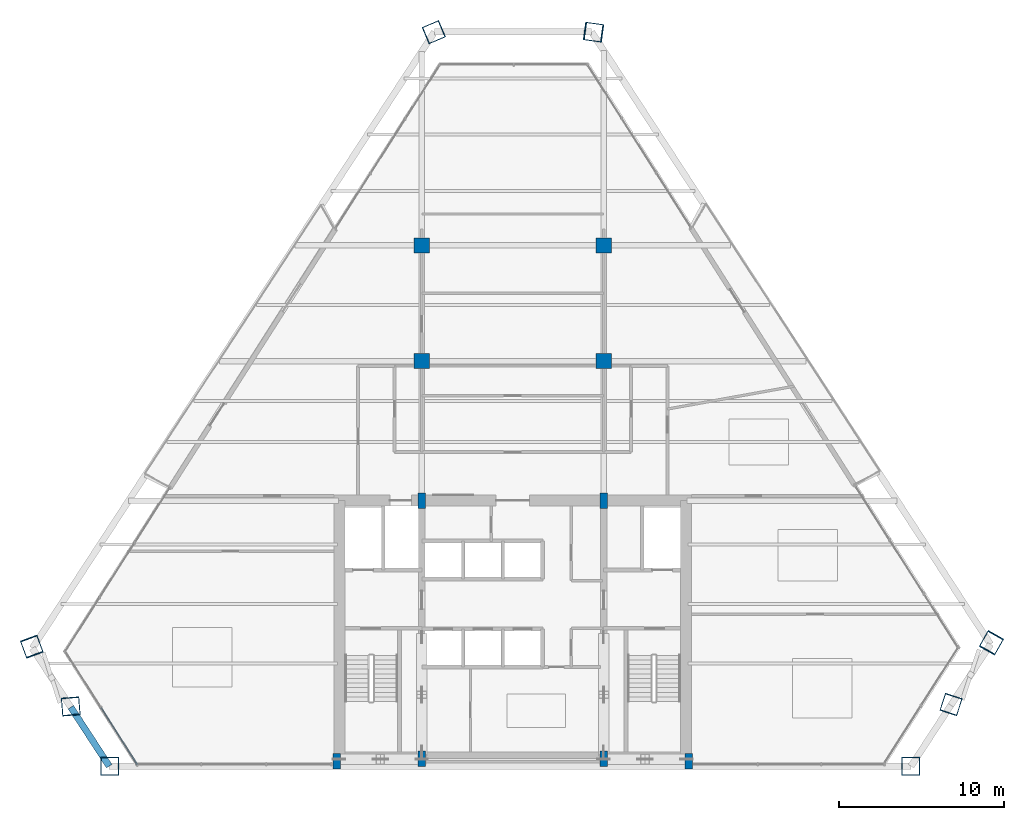
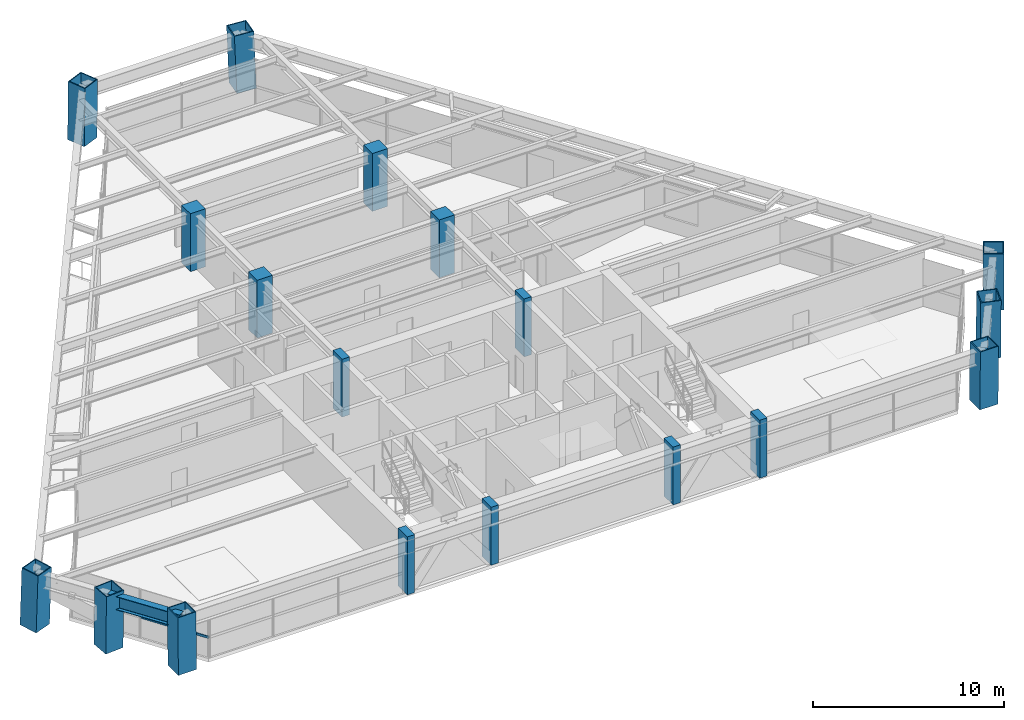
# One storey, part 1 of 15: 18 columns, 1 beam, 1 member, 1 element without a shape of its own.
"""IFC4 building model written with IfcOpenShell, lengths in metres."""

from ifc_helpers import new_model, si_unit, direction, frame, origin, origin_2d, place, context, subcontext, project, spatial, rectangle, hollow_rectangle, i_section, extrude, source, transform, mapped, material, material_profile, profile_set, type_object, element, aggregate, save


model = new_model("IFC4")

# Units and contexts
model_context = context("Model", 3, precision=1e-05, world=origin(), true_north=direction((0.0, 1.0)))
body_context = subcontext(model_context, "Body", "Model", "MODEL_VIEW")
ifc_project = project(units=[si_unit("LENGTHUNIT", "METRE"), si_unit("AREAUNIT", "SQUARE_METRE"), si_unit("VOLUMEUNIT", "CUBIC_METRE"), si_unit("PLANEANGLEUNIT", "RADIAN"), si_unit("MASSUNIT", "GRAM", prefix="KILO")], contexts=[model_context])

# Site, building, storey
site_placement = place(None, origin())
site = spatial("IfcSite", under=ifc_project, at=site_placement, CompositionType="ELEMENT")
building_placement = place(site_placement, origin())
building = spatial("IfcBuilding", under=site, at=building_placement, Name="Varnakhor Terracotta Tower", CompositionType="ELEMENT")
storey_placement = place(building_placement, frame((0.0, 0.0, 158.89990234375)))
storey = spatial("IfcBuildingStorey", under=building, at=storey_placement, Name="L40", CompositionType="ELEMENT", Elevation=158.89990234375)

# Columns
ifc_material_1 = material(Name="Concrete C50/60", Category="concrete")
ifc_material_profile_1 = material_profile(ifc_material_1, rectangle(XDim=0.449951171875, YDim=0.949951171875, at=origin_2d()), Name="RC PILASTER 950x450")
ifc_profile_set_1 = profile_set([ifc_material_profile_1], Name="Concrete C50/60")
column_type_1 = type_object("IfcColumnType", Name="COL-PIL-950x450", PredefinedType="PILASTER", material=ifc_profile_set_1)
shared_shape_1 = source(origin(), body_context, "Body", "SweptSolid", [
    extrude(rectangle(XDim=0.449951171875, YDim=0.949951171875, at=origin_2d()), origin(), (0.0, 0.0, 1.0), 3.7001953125),
])
for number, where, z_axis, x_axis, name in (
    (1, (-10.64990234375, 0.300048828125, 0.0), (0.0, 0.0, 1.0), (1.0, 0.0, 0.0), "L40 Core Pilaster CP1"),
    (2, (-5.5, 0.449951171875, 0.0), (0.0, 0.0, 1.0), (1.0, 0.0, 0.0), "L40 Core Pilaster CP2"),
    (3, (5.5, 0.449951171875, 0.0), (0.0, 0.0, 1.0), (1.0, 0.0, 0.0), "L40 Core Pilaster CP3"),
    (4, (10.64990234375, 0.300048828125, 0.0), (0.0, 0.0, 1.0), (1.0, 0.0, 0.0), "L40 Core Pilaster CP4"),
    (5, (-5.5, 16.050048828125, 0.0), (0.0, 0.0, 1.0), (1.0, 0.0, 0.0), "L40 Core Pilaster CP5"),
    (6, (5.5, 16.050048828125, 0.0), (0.0, 0.0, 1.0), (1.0, 0.0, 0.0), "L40 Core Pilaster CP6"),
):
    element("IfcColumn", number, at=place(storey_placement, frame(where, z_axis=z_axis, x_axis=x_axis)), inside=storey, type_object=column_type_1, Name=name, PredefinedType="PILASTER", context=body_context, shape_type="MappedRepresentation", body=[
        mapped(shared_shape_1, transform((0.0, 0.0, 0.0), scale=1.0)),
    ])
ifc_material_2 = material(Name="Steel S460", Category="steel")
ifc_material_profile_2 = material_profile(ifc_material_2, hollow_rectangle(XDim=1.10009765625, YDim=1.10009765625, WallThickness=0.054931640625, at=origin_2d()), Name="BOX 1100x1100x55")
ifc_profile_set_2 = profile_set([ifc_material_profile_2], Name="Steel S460")
column_type_2 = type_object("IfcColumnType", Name="COL-MEGA-1100", PredefinedType="COLUMN", material=ifc_profile_set_2)
shared_shape_2 = source(origin(), body_context, "Body", "SweptSolid", [
    extrude(hollow_rectangle(XDim=1.10009765625, YDim=1.10009765625, WallThickness=0.054931640625, at=origin_2d()), origin(), (0.0, 0.0, 1.0), 3.69140625),
])
column_1_placement = place(storey_placement, frame((24.063720703125, 0.0, 0.00439453125), z_axis=(0.007341072023, 0.0, 0.999973053968), x_axis=(0.0, 1.0, 0.0)))
element("IfcColumn", 7, at=column_1_placement, inside=storey, type_object=column_type_2, Name="L40 Perimeter Mega-Column M2", PredefinedType="COLUMN", context=body_context, shape_type="MappedRepresentation", body=[
    mapped(shared_shape_2, transform((0.0, 0.0, 0.0), scale=1.0)),
])
shared_shape_3 = source(origin(), body_context, "Body", "SweptSolid", [
    extrude(hollow_rectangle(XDim=1.10009765625, YDim=1.10009765625, WallThickness=0.054931640625, at=origin_2d()), origin(), (0.0, 0.0, 1.0), 3.691650390625),
])
for number, where, z_axis, x_axis, name in (
    (8, (-24.369384765625, 0.0, 0.00439453125), (-0.009391120248, 0.0, 0.999955902458), (0.0, -1.0, 0.0), "L40 Perimeter Mega-Column M1"),
    (9, (-4.779052734375, 44.39111328125, 0.00439453125), (0.012300488743, 0.005224401133, 0.999910697817), (-0.390931059239, 0.920419962258, 0.0), "L40 Perimeter Mega-Column M6"),
):
    element("IfcColumn", number, at=place(storey_placement, frame(where, z_axis=z_axis, x_axis=x_axis)), inside=storey, type_object=column_type_2, Name=name, PredefinedType="COLUMN", context=body_context, shape_type="MappedRepresentation", body=[
        mapped(shared_shape_3, transform((0.0, 0.0, 0.0), scale=1.0)),
    ])
shared_shape_4 = source(origin(), body_context, "Body", "SweptSolid", [
    extrude(hollow_rectangle(XDim=1.10009765625, YDim=1.10009765625, WallThickness=0.054931640625, at=origin_2d()), origin(), (0.0, 0.0, 1.0), 3.69189453125),
])
for number, where, z_axis, x_axis, name in (
    (10, (26.513671875, 3.7421875, 0.00439453125), (-0.004893569826, -0.015011356089, 0.999875348312), (0.950756672883, -0.309938298649, 0.0), "L40 Perimeter Mega-Column M3"),
    (11, (-26.732177734375, 3.625, 0.00439453125), (0.001256454491, -0.015871004099, 0.999873258244), (0.996880972863, 0.078919743685, 0.0), "L40 Perimeter Mega-Column M8"),
):
    element("IfcColumn", number, at=place(storey_placement, frame(where, z_axis=z_axis, x_axis=x_axis)), inside=storey, type_object=column_type_2, Name=name, PredefinedType="COLUMN", context=body_context, shape_type="MappedRepresentation", body=[
        mapped(shared_shape_4, transform((0.0, 0.0, 0.0), scale=1.0)),
    ])
shared_shape_5 = source(origin(), body_context, "Body", "SweptSolid", [
    extrude(hollow_rectangle(XDim=1.10009765625, YDim=1.10009765625, WallThickness=0.054931640625, at=origin_2d()), origin(), (0.0, 0.0, 1.0), 3.693603515625),
])
for number, where, z_axis, x_axis, name in (
    (12, (28.96337890625, 7.484375, 0.00439453125), (-0.016987212132, -0.030074636265, 0.999403297412), (0.870705365483, -0.491805008636, 0.0), "L40 Perimeter Mega-Column M4"),
    (13, (-29.094482421875, 7.250244140625, 0.00439453125), (0.011699653953, -0.031727875126, 0.999428066465), (0.938242960079, 0.345977091529, 0.0), "L40 Perimeter Mega-Column M7"),
):
    element("IfcColumn", number, at=place(storey_placement, frame(where, z_axis=z_axis, x_axis=x_axis)), inside=storey, type_object=column_type_2, Name=name, PredefinedType="COLUMN", context=body_context, shape_type="MappedRepresentation", body=[
        mapped(shared_shape_5, transform((0.0, 0.0, 0.0), scale=1.0)),
    ])
ifc_material_profile_3 = material_profile(ifc_material_1, rectangle(XDim=0.919921875, YDim=0.919921875, at=origin_2d()), Name="RC 920x920")
ifc_profile_set_3 = profile_set([ifc_material_profile_3], Name="Concrete C50/60")
column_type_3 = type_object("IfcColumnType", Name="COL-RC-920", PredefinedType="COLUMN", material=ifc_profile_set_3)
shared_shape_6 = source(origin(), body_context, "Body", "SweptSolid", [
    extrude(rectangle(XDim=0.919921875, YDim=0.919921875, at=origin_2d()), origin(), (0.0, 0.0, 1.0), 3.7001953125),
])
for number, where, z_axis, x_axis, name in (
    (14, (-5.5, 24.5, 0.0), (0.0, 0.0, 1.0), (1.0, 0.0, 0.0), "L40 Interior Tower Column IC1"),
    (15, (5.5, 24.5, 0.0), (0.0, 0.0, 1.0), (1.0, 0.0, 0.0), "L40 Interior Tower Column IC2"),
    (16, (-5.5, 31.5, 0.0), (0.0, 0.0, 1.0), (1.0, 0.0, 0.0), "L40 Interior Tower Column IC3"),
    (17, (5.5, 31.5, 0.0), (0.0, 0.0, 1.0), (1.0, 0.0, 0.0), "L40 Interior Tower Column IC4"),
):
    element("IfcColumn", number, at=place(storey_placement, frame(where, z_axis=z_axis, x_axis=x_axis)), inside=storey, type_object=column_type_3, Name=name, PredefinedType="COLUMN", context=body_context, shape_type="MappedRepresentation", body=[
        mapped(shared_shape_6, transform((0.0, 0.0, 0.0), scale=1.0)),
    ])
shared_shape_7 = source(origin(), body_context, "Body", "SweptSolid", [
    extrude(hollow_rectangle(XDim=1.10009765625, YDim=1.10009765625, WallThickness=0.054931640625, at=origin_2d()), origin(), (0.0, 0.0, 1.0), 3.694091796875),
])
column_2_placement = place(storey_placement, frame((4.91064453125, 44.39111328125, 0.00439453125), z_axis=(-0.037803130694, 0.005221061757, 0.999271566604), x_axis=(-0.136813203276, -0.990596864224, 0.0)))
element("IfcColumn", 18, at=column_2_placement, inside=storey, type_object=column_type_2, Name="L40 Perimeter Mega-Column M5", PredefinedType="COLUMN", context=body_context, shape_type="MappedRepresentation", body=[
    mapped(shared_shape_7, transform((0.0, 0.0, 0.0), scale=1.0)),
])

# Beam
ifc_material_3 = material(Name="Steel S355", Category="steel")
ifc_material_profile_4 = material_profile(ifc_material_3, i_section(OverallWidth=0.39990234375, OverallDepth=0.85498046875, WebThickness=0.01806640625, FlangeThickness=0.029052734375, FilletRadius=0.01806640625, at=origin_2d()), Name="W33X201")
ifc_profile_set_4 = profile_set([ifc_material_profile_4], Name="Steel S355")
beam_type = type_object("IfcBeamType", Name="BM-W33X201", PredefinedType="BEAM", material=ifc_profile_set_4)
shared_shape_8 = source(origin(), body_context, "Body", "SweptSolid", [
    extrude(i_section(OverallWidth=0.39990234375, OverallDepth=0.85498046875, WebThickness=0.01806640625, FlangeThickness=0.029052734375, FilletRadius=0.01806640625, at=origin_2d()), origin(), (0.0, 0.0, 1.0), 4.256591796875),
])
beam_placement = place(storey_placement, frame((-26.7275390625, 3.56640625, 3.04248046875), z_axis=(0.545867055468, -0.837871802697, 0.0), x_axis=(0.837871802697, 0.545867055468, 0.0)))
element("IfcBeam", 19, at=beam_placement, inside=storey, type_object=beam_type, Name="L40 Perimeter Spandrel 8", PredefinedType="BEAM", context=body_context, shape_type="MappedRepresentation", body=[
    mapped(shared_shape_8, transform((0.0, 0.0, 0.0), scale=1.0)),
])

# Curtain wall, member
ifc_material_4 = material(Name="Anodised Aluminium Curtain Wall System", Category="aluminium")
curtain_wall_type = type_object("IfcCurtainWallType", Name="CW-SYS-MID-OFFICE", PredefinedType="NOTDEFINED", material=ifc_material_4)
curtain_wall_placement = place(storey_placement, origin())
curtain_wall = element("IfcCurtainWall", 20, at=curtain_wall_placement, inside=storey, type_object=curtain_wall_type, Name="L40 Facet Curtain Wall 6", PredefinedType="NOTDEFINED")
ifc_material_5 = material(Name="Anodised Aluminium 6063-T6", Category="aluminium")
ifc_material_profile_5 = material_profile(ifc_material_5, rectangle(XDim=0.070068359375, YDim=0.155029296875, at=origin_2d()), Name="ALU TRANSOM 70x155")
ifc_profile_set_5 = profile_set([ifc_material_profile_5], Name="Anodised Aluminium 6063-T6")
member_type = type_object("IfcMemberType", Name="CWT-03", PredefinedType="USERDEFINED", material=ifc_profile_set_5)
shared_shape_9 = source(origin(), body_context, "Body", "SweptSolid", [
    extrude(rectangle(XDim=0.070068359375, YDim=0.155029296875, at=origin_2d()), origin(), (0.0, 0.0, 1.0), 4.087158203125),
])
member_placement = place(storey_placement, frame((-22.7001953125, 0.089599609375, 1.281005859375), z_axis=(-0.53640000462, 0.843963882547, 0.0), x_axis=(-0.843963882547, -0.53640000462, 0.0)))
member = element("IfcMember", 21, at=member_placement, type_object=member_type, Name="L40 Facet Curtain Wall 6 Transom 1", ObjectType="TRANSOM", PredefinedType="USERDEFINED", context=body_context, shape_type="MappedRepresentation", body=[
    mapped(shared_shape_9, transform((0.0, 0.0, 0.0), scale=1.0)),
])
aggregate(curtain_wall, [member])

save(model, "model.ifc")
